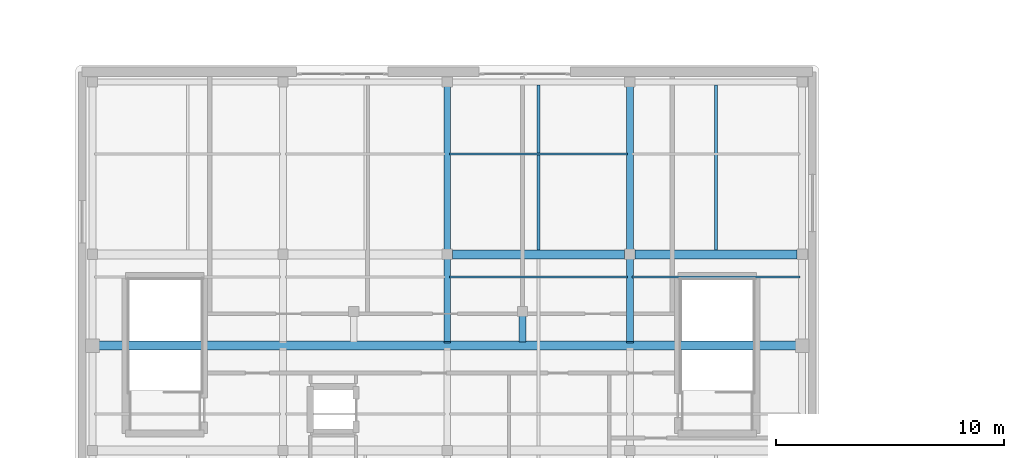
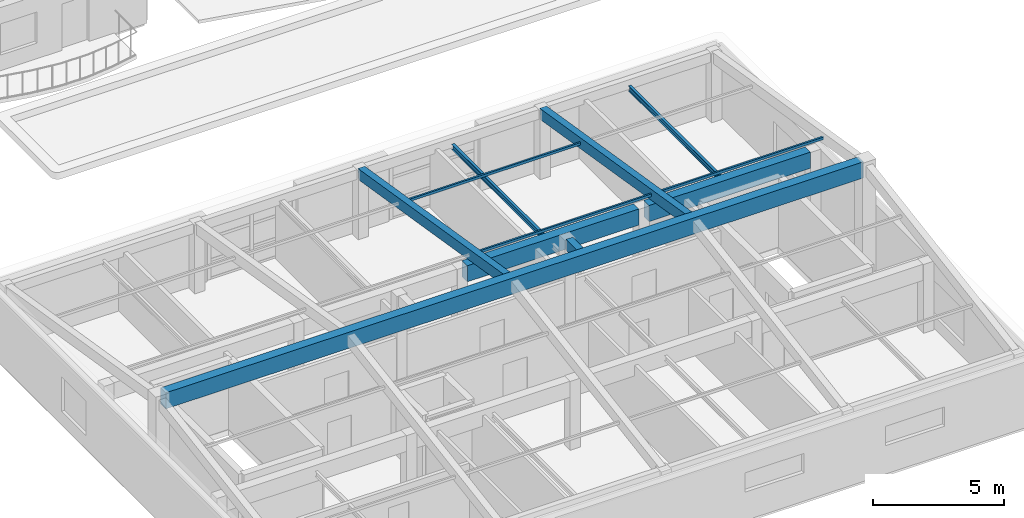
# One storey, part 6 of 128: 8 beams, 3 members.
"""IFC4 building model written with IfcOpenShell, lengths in metres."""

from ifc_helpers import new_model, si_unit, direction, frame, origin, origin_2d, place, context, subcontext, project, spatial, rectangle, hollow_rectangle, i_section, extrude, material, material_profile, profile_set, type_object, element, save


model = new_model("IFC4")

# Units and contexts
model_context = context("Model", 3, precision=1e-05, world=origin(), true_north=direction((0.0, 1.0)))
body_context = subcontext(model_context, "Body", "Model", "MODEL_VIEW")
ifc_project = project(units=[si_unit("LENGTHUNIT", "METRE"), si_unit("AREAUNIT", "SQUARE_METRE"), si_unit("VOLUMEUNIT", "CUBIC_METRE"), si_unit("PLANEANGLEUNIT", "RADIAN"), si_unit("MASSUNIT", "GRAM", prefix="KILO")], contexts=[model_context])

# Site, building, storey
site_placement = place(None, origin())
site = spatial("IfcSite", under=ifc_project, at=site_placement, CompositionType="ELEMENT")
building_placement = place(site_placement, origin())
building = spatial("IfcBuilding", under=site, at=building_placement, Name="Keldmere Railside Commons", CompositionType="ELEMENT")
storey_placement = place(building_placement, frame((0.0, 0.0, 4.159912109375)))
storey = spatial("IfcBuildingStorey", under=building, at=storey_placement, Name="L01", CompositionType="ELEMENT", Elevation=4.159912109375)

# Beams
ifc_material_1 = material(Name="Concrete H-35 (C35/45)", Category="concrete")
ifc_material_profile_1 = material_profile(ifc_material_1, rectangle(XDim=0.39990234375, YDim=0.75, at=origin_2d()), Name="RC-400x750")
ifc_profile_set_1 = profile_set([ifc_material_profile_1], Name="Concrete H-35 (C35/45)")
beam_type_1 = type_object("IfcBeamType", Name="Civic Frame RC Girder 400x750", PredefinedType="BEAM", material=ifc_profile_set_1)
beam_1_placement = place(storey_placement, frame((24.22509765625, 32.0, 2.8251953125), z_axis=(1.0, 0.0, 0.0), x_axis=(0.0, 1.0, 0.0)))
element("IfcBeam", 1, at=beam_1_placement, inside=storey, type_object=beam_type_1, Name="BG-2 BM-L01-0768", PredefinedType="BEAM", context=body_context, shape_type="SweptSolid", body=[
    extrude(rectangle(XDim=0.39990234375, YDim=0.75, at=origin_2d()), origin(), (0.0, 0.0, 1.0), 7.5498046875),
])
beam_2_placement = place(storey_placement, frame((32.22509765625, 32.0, 2.8251953125), z_axis=(1.0, 0.0, 0.0), x_axis=(0.0, 1.0, 0.0)))
element("IfcBeam", 2, at=beam_2_placement, inside=storey, type_object=beam_type_1, Name="BG-2 BM-L01-0769", PredefinedType="BEAM", context=body_context, shape_type="SweptSolid", body=[
    extrude(rectangle(XDim=0.39990234375, YDim=0.75, at=origin_2d()), origin(), (0.0, 0.0, 1.0), 7.099853515625),
])
beam_3_placement = place(storey_placement, frame((8.64990234375, 28.0, 4.7900390625), z_axis=(1.0, 0.0, 0.0), x_axis=(0.0, 1.0, 0.0)))
element("IfcBeam", 3, at=beam_3_placement, inside=storey, type_object=beam_type_1, Name="BG-2 BM-L01-2657", PredefinedType="BEAM", context=body_context, shape_type="SweptSolid", body=[
    extrude(rectangle(XDim=0.39990234375, YDim=0.75, at=origin_2d()), origin(), (0.0, 0.0, 1.0), 30.7001953125),
])
ifc_material_2 = material(Name="Steel F-36 (S355)", Category="steel")
ifc_material_profile_2 = material_profile(ifc_material_2, i_section(OverallWidth=0.1201171875, OverallDepth=0.239990234375, WebThickness=0.006103515625, FlangeThickness=0.009765625, at=origin_2d()), Name="IPE-240")
ifc_profile_set_2 = profile_set([ifc_material_profile_2], Name="Steel F-36 (S355)")
beam_type_2 = type_object("IfcBeamType", Name="Nursery & Mezzanine Steel Joist IPE240", PredefinedType="JOIST", material=ifc_profile_set_2)
for number, where, z_axis, x_axis, name in (
    (4, (28.0, 32.199951171875, 2.81005859375), (0.0, 1.0, 0.0), (-1.0, 0.0, 0.0), "JST-2 BM-L01-0998"),
    (5, (35.77490234375, 32.199951171875, 2.81005859375), (0.0, 1.0, 0.0), (-1.0, 0.0, 0.0), "JST-2 BM-L01-0999"),
):
    element("IfcBeam", number, at=place(storey_placement, frame(where, z_axis=z_axis, x_axis=x_axis)), inside=storey, type_object=beam_type_2, Name=name, PredefinedType="JOIST", context=body_context, shape_type="SweptSolid", body=[
        extrude(i_section(OverallWidth=0.1201171875, OverallDepth=0.239990234375, WebThickness=0.006103515625, FlangeThickness=0.009765625, at=origin_2d()), origin(), (0.0, 0.0, 1.0), 7.22509765625),
    ])

# Members
ifc_material_3 = material(Name="Steel F-24 (S235)", Category="steel")
ifc_material_profile_3 = material_profile(ifc_material_3, hollow_rectangle(XDim=0.080078125, YDim=0.1201171875, WallThickness=0.006103515625, at=origin_2d()), Name="RHS-120x80x6")
ifc_profile_set_3 = profile_set([ifc_material_profile_3], Name="Steel F-24 (S235)")
member_type = type_object("IfcMemberType", Name="Nursery Roof Steel Purlin RHS120x80", PredefinedType="PURLIN", material=ifc_profile_set_3)
member_1_placement = place(storey_placement, frame((24.10009765625, 31.0, 4.320068359375), z_axis=(1.0, 0.0, 0.0), x_axis=(0.0, 1.0, 0.0)))
element("IfcMember", 6, at=member_1_placement, inside=storey, type_object=member_type, Name="PUR-1 MEM-PUR-032", PredefinedType="PURLIN", context=body_context, shape_type="SweptSolid", body=[
    extrude(hollow_rectangle(XDim=0.080078125, YDim=0.1201171875, WallThickness=0.006103515625, at=origin_2d()), origin(), (0.0, 0.0, 1.0), 7.7998046875),
])
member_2_placement = place(storey_placement, frame((32.10009765625, 31.0, 4.320068359375), z_axis=(1.0, 0.0, 0.0), x_axis=(0.0, 1.0, 0.0)))
element("IfcMember", 7, at=member_2_placement, inside=storey, type_object=member_type, Name="PUR-1 MEM-PUR-033", PredefinedType="PURLIN", context=body_context, shape_type="SweptSolid", body=[
    extrude(hollow_rectangle(XDim=0.080078125, YDim=0.1201171875, WallThickness=0.006103515625, at=origin_2d()), origin(), (0.0, 0.0, 1.0), 7.349853515625),
])
member_3_placement = place(storey_placement, frame((24.10009765625, 36.39990234375, 3.440185546875), z_axis=(1.0, 0.0, 0.0), x_axis=(0.0, 1.0, 0.0)))
element("IfcMember", 8, at=member_3_placement, inside=storey, type_object=member_type, Name="PUR-1 MEM-PUR-036", PredefinedType="PURLIN", context=body_context, shape_type="SweptSolid", body=[
    extrude(hollow_rectangle(XDim=0.080078125, YDim=0.1201171875, WallThickness=0.006103515625, at=origin_2d()), origin(), (0.0, 0.0, 1.0), 7.7998046875),
])

# Beams
ifc_material_4 = material(Name="Concrete H-30 (C30/37)", Category="concrete")
ifc_material_profile_4 = material_profile(ifc_material_4, rectangle(XDim=0.300048828125, YDim=0.5, at=origin_2d()), Name="RC-300x500")
ifc_profile_set_4 = profile_set([ifc_material_profile_4], Name="Concrete H-30 (C30/37)")
beam_type_3 = type_object("IfcBeamType", Name="Secondary Frame RC Beam 300x500", PredefinedType="BEAM", material=ifc_profile_set_4)
beam_4_placement = place(storey_placement, frame((27.300048828125, 28.14990234375, 4.64013671875), z_axis=(0.0, 1.0, 0.0), x_axis=(-1.0, 0.0, 0.0)))
element("IfcBeam", 9, at=beam_4_placement, inside=storey, type_object=beam_type_3, Name="BG-5 BM-L01-2659", PredefinedType="BEAM", context=body_context, shape_type="SweptSolid", body=[
    extrude(rectangle(XDim=0.300048828125, YDim=0.5, at=origin_2d()), origin(), (0.0, 0.0, 1.0), 1.2001953125),
])
for number, where, z_axis, x_axis, name in (
    (10, (24.0, 28.14990234375, 4.7900390625), (0.0, 0.987003101327, -0.160701207121), (-1.0, 0.0, 0.0), "BG-5 BM-L01-2665"),
    (11, (32.0, 28.14990234375, 4.7900390625), (0.0, 0.987003101327, -0.160701207121), (-1.0, 0.0, 0.0), "BG-5 BM-L01-2667"),
):
    element("IfcBeam", number, at=place(storey_placement, frame(where, z_axis=z_axis, x_axis=x_axis)), inside=storey, type_object=beam_type_3, Name=name, PredefinedType="BEAM", context=body_context, shape_type="SweptSolid", body=[
        extrude(rectangle(XDim=0.300048828125, YDim=0.5, at=origin_2d()), origin(), (0.0, 0.0, 1.0), 11.44873046875),
    ])

save(model, "model.ifc")
